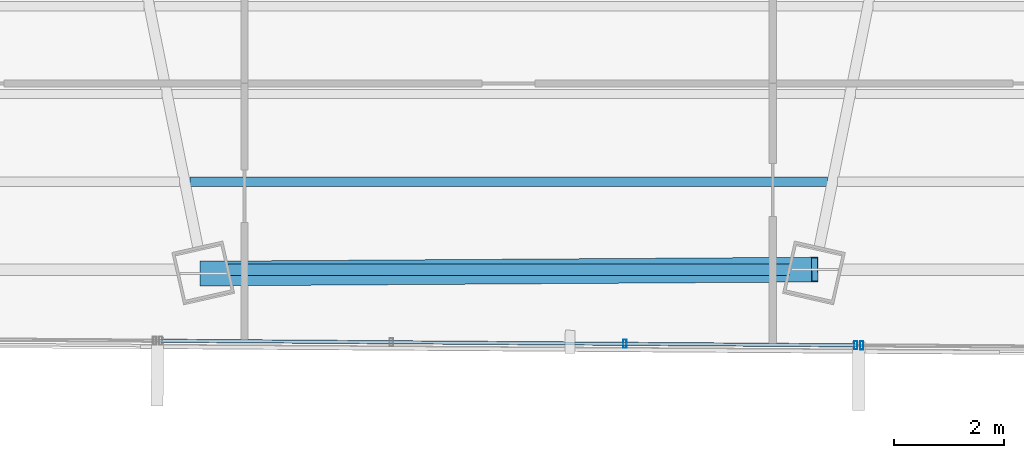
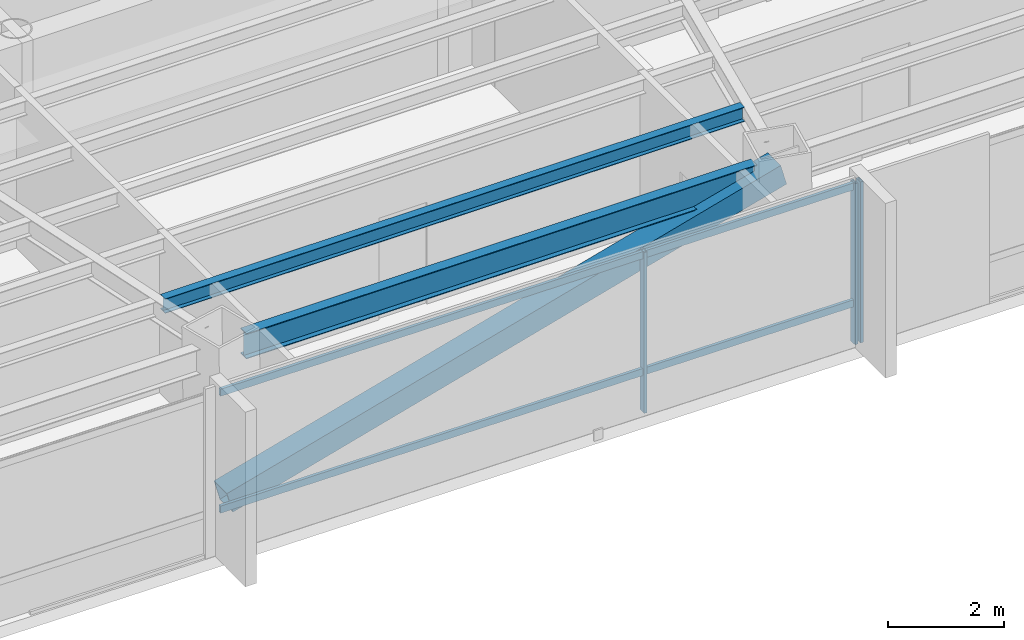
# One storey, part 9 of 40: 6 members, 2 beams, 2 elements without a shape of their own.
"""IFC4 building model written with IfcOpenShell, lengths in metres."""

from ifc_helpers import new_model, si_unit, direction, frame, origin, origin_2d, place, context, subcontext, project, spatial, hollow_rectangle, i_section, extrude, source, transform, mapped, material, material_profile, profile_set, type_object, type_shapes, element, aggregate, save


model = new_model("IFC4")

# Units and contexts
model_context = context("Model", 3, precision=1e-05, world=origin(), true_north=direction((0.0, 1.0)))
body_context = subcontext(model_context, "Body", "Model", "MODEL_VIEW")
ifc_project = project(units=[si_unit("LENGTHUNIT", "METRE"), si_unit("AREAUNIT", "SQUARE_METRE"), si_unit("VOLUMEUNIT", "CUBIC_METRE"), si_unit("PLANEANGLEUNIT", "RADIAN"), si_unit("MASSUNIT", "GRAM", prefix="KILO")], contexts=[model_context])

# Site, building, storey
site_placement = place(None, origin())
site = spatial("IfcSite", under=ifc_project, at=site_placement, CompositionType="ELEMENT")
building_placement = place(site_placement, origin())
building = spatial("IfcBuilding", under=site, at=building_placement, Name="Caelisora Broadcast Tower", CompositionType="ELEMENT")
storey_placement = place(building_placement, frame((0.0, 0.0, 176.75)))
storey = spatial("IfcBuildingStorey", under=building, at=storey_placement, Name="L46", CompositionType="ELEMENT", Elevation=176.75)

# Beams
ifc_material_1 = material(Name="Steel Grade 350 (AS/NZS 3679.1)", Category="steel")
ifc_material_profile_1 = material_profile(ifc_material_1, i_section(OverallWidth=0.208984375, OverallDepth=0.532958984375, WebThickness=0.01025390625, FlangeThickness=0.015625, at=origin_2d()), Name="Steel Grade 350 (AS/NZS 3679.1)")
ifc_profile_set_1 = profile_set([ifc_material_profile_1], Name="Steel Grade 350 (AS/NZS 3679.1)")
beam_type_1 = type_object("IfcBeamType", Name="PG05", PredefinedType="BEAM", material=ifc_profile_set_1)
shared_shape_1 = source(origin(), body_context, "Body", "SweptSolid", [
    extrude(i_section(OverallWidth=0.208984375, OverallDepth=0.532958984375, WebThickness=0.01025390625, FlangeThickness=0.015625, at=origin_2d()), origin(), (0.0, 0.0, 1.0), 10.20703125),
])
type_shapes(beam_type_1, [shared_shape_1])
beam_1_placement = place(storey_placement, frame((32.896484375, 7.82666015625, 3.133544921875), z_axis=(1.0, 0.0, 0.0), x_axis=(0.0, 1.0, 0.0)))
element("IfcBeam", 1, at=beam_1_placement, inside=storey, type_object=beam_type_1, Name="L46 beam PG05", PredefinedType="BEAM", context=body_context, shape_type="MappedRepresentation", body=[
    mapped(shared_shape_1, transform((0.0, 0.0, 0.0), scale=1.0)),
])
ifc_material_profile_2 = material_profile(ifc_material_1, i_section(OverallWidth=0.166015625, OverallDepth=0.30712890625, WebThickness=0.006591796875, FlangeThickness=0.01171875, at=origin_2d()), Name="Steel Grade 350 (AS/NZS 3679.1)")
ifc_profile_set_2 = profile_set([ifc_material_profile_2], Name="Steel Grade 350 (AS/NZS 3679.1)")
beam_type_2 = type_object("IfcBeamType", Name="SB03", PredefinedType="JOIST", material=ifc_profile_set_2)
shared_shape_2 = source(origin(), body_context, "Body", "SweptSolid", [
    extrude(i_section(OverallWidth=0.166015625, OverallDepth=0.30712890625, WebThickness=0.006591796875, FlangeThickness=0.01171875, at=origin_2d()), origin(), (0.0, 0.0, 1.0), 11.58349609375),
])
type_shapes(beam_type_2, [shared_shape_2])
beam_2_placement = place(storey_placement, frame((32.208251953125, 9.422119140625, 3.246337890625), z_axis=(1.0, 0.0, 0.0), x_axis=(0.0, 1.0, 0.0)))
element("IfcBeam", 2, at=beam_2_placement, inside=storey, type_object=beam_type_2, Name="L46 beam SB03", PredefinedType="JOIST", context=body_context, shape_type="MappedRepresentation", body=[
    mapped(shared_shape_2, transform((0.0, 0.0, 0.0), scale=1.0)),
])

# Member
ifc_material_2 = material(Name="Steel Grade 450 (AS/NZS 1163 C450L0)", Category="steel")
ifc_material_profile_3 = material_profile(ifc_material_2, hollow_rectangle(XDim=0.449951171875, YDim=0.449951171875, WallThickness=0.01611328125, at=origin_2d()), Name="Steel Grade 450 (AS/NZS 1163 C450L0)")
ifc_profile_set_3 = profile_set([ifc_material_profile_3], Name="Steel Grade 450 (AS/NZS 1163 C450L0)")
member_type_1 = type_object("IfcMemberType", Name="BR03", PredefinedType="BRACE", material=ifc_profile_set_3)
shared_shape_3 = source(origin(), body_context, "Body", "SweptSolid", [
    extrude(hollow_rectangle(XDim=0.449951171875, YDim=0.449951171875, WallThickness=0.01611328125, at=origin_2d()), origin(), (0.0, 0.0, 1.0), 11.5087890625),
])
type_shapes(member_type_1, [shared_shape_3])
member_1_placement = place(storey_placement, frame((32.452880859375, 7.75439453125, 0.10009765625), z_axis=(0.965407006684, 0.006279207936, 0.260671983523), x_axis=(-0.006504070384, 0.999978848311, 0.0)))
element("IfcMember", 3, at=member_1_placement, inside=storey, type_object=member_type_1, Name="L46 perimeter brace BR03", PredefinedType="BRACE", context=body_context, shape_type="MappedRepresentation", body=[
    mapped(shared_shape_3, transform((0.0, 0.0, 0.0), scale=1.0)),
])

# Curtain wall, member
ifc_material_3 = material(Name="Unitised Aluminium and Low-E Glass Curtain Wall", Category="glass")
curtain_wall_type_1 = type_object("IfcCurtainWallType", Name="CW-Z3", PredefinedType="NOTDEFINED", material=ifc_material_3)
curtain_wall_1_placement = place(storey_placement, origin())
curtain_wall_1 = element("IfcCurtainWall", 4, at=curtain_wall_1_placement, inside=storey, type_object=curtain_wall_type_1, Name="L46 curtain wall CW-Z3", PredefinedType="NOTDEFINED")
ifc_material_4 = material(Name="Aluminium 6063-T6 Anodised Terracotta Bronze", Category="aluminium")
ifc_material_profile_4 = material_profile(ifc_material_4, hollow_rectangle(XDim=0.06005859375, YDim=0.14990234375, WallThickness=0.00341796875, at=origin_2d()), Name="Aluminium 6063-T6 Anodised Terracotta Bronze")
ifc_profile_set_4 = profile_set([ifc_material_profile_4], Name="Aluminium 6063-T6 Anodised Terracotta Bronze")
member_type_2 = type_object("IfcMemberType", Name="CWM-03", PredefinedType="MULLION", material=ifc_profile_set_4)
shared_shape_4 = source(origin(), body_context, "Body", "SweptSolid", [
    extrude(hollow_rectangle(XDim=0.06005859375, YDim=0.14990234375, WallThickness=0.00341796875, at=origin_2d()), origin(), (0.0, 0.0, 1.0), 3.39990234375),
])
type_shapes(member_type_2, [shared_shape_4])
member_2_placement = place(storey_placement, frame((44.41845703125, 6.44921875, 0.0), z_axis=(0.0, 0.0, 1.0), x_axis=(1.0, 0.0, 0.0)))
member_2 = element("IfcMember", 5, at=member_2_placement, type_object=member_type_2, Name="L46-CW-B05 mullion #3", PredefinedType="MULLION", context=body_context, shape_type="MappedRepresentation", body=[
    mapped(shared_shape_4, transform((0.0, 0.0, 0.0), scale=1.0)),
])
aggregate(curtain_wall_1, [member_2])

# Curtain wall, members
ifc_material_5 = material(Name="Unitised Aluminium Insulated Shadow-Box Spandrel Curtain Wall", Category="aluminium")
curtain_wall_type_2 = type_object("IfcCurtainWallType", Name="CW-SP2", PredefinedType="NOTDEFINED", material=ifc_material_5)
curtain_wall_2_placement = place(storey_placement, origin())
curtain_wall_2 = element("IfcCurtainWall", 6, at=curtain_wall_2_placement, inside=storey, type_object=curtain_wall_type_2, Name="L46 curtain wall CW-SP2", PredefinedType="NOTDEFINED")
member_3_placement = place(storey_placement, frame((44.308349609375, 6.449951171875, 0.0), z_axis=(0.0, 0.0, 1.0), x_axis=(1.0, 0.0, 0.0)))
member_3 = element("IfcMember", 7, at=member_3_placement, type_object=member_type_2, Name="L46-CW-B06 mullion #0", PredefinedType="MULLION", context=body_context, shape_type="MappedRepresentation", body=[
    mapped(shared_shape_4, transform((0.0, 0.0, 0.0), scale=1.0)),
])
member_4_placement = place(storey_placement, frame((40.114013671875, 6.477783203125, 0.0), z_axis=(0.0, 0.0, 1.0), x_axis=(1.0, 0.0, 0.0)))
member_4 = element("IfcMember", 8, at=member_4_placement, type_object=member_type_2, Name="L46-CW-B06 mullion #1", PredefinedType="MULLION", context=body_context, shape_type="MappedRepresentation", body=[
    mapped(shared_shape_4, transform((0.0, 0.0, 0.0), scale=1.0)),
])
ifc_material_profile_5 = material_profile(ifc_material_4, hollow_rectangle(XDim=0.06005859375, YDim=0.14990234375, WallThickness=0.00341796875, at=origin_2d()), Name="Aluminium 6063-T6 Anodised Terracotta Bronze")
ifc_profile_set_5 = profile_set([ifc_material_profile_5], Name="Aluminium 6063-T6 Anodised Terracotta Bronze")
member_type_3 = type_object("IfcMemberType", Name="CWT-02", PredefinedType="USERDEFINED", material=ifc_profile_set_5)
shared_shape_5 = source(origin(), body_context, "Body", "SweptSolid", [
    extrude(hollow_rectangle(XDim=0.06005859375, YDim=0.14990234375, WallThickness=0.00341796875, at=origin_2d()), origin(), (0.0, 0.0, 1.0), 12.6337890625),
])
type_shapes(member_type_3, [shared_shape_5])
member_5_placement = place(storey_placement, frame((44.308349609375, 6.449951171875, 0.85009765625), z_axis=(-0.999977904586, 0.006647581486, 0.0), x_axis=(-0.006647581486, -0.999977904586, 0.0)))
member_5 = element("IfcMember", 9, at=member_5_placement, type_object=member_type_3, Name="L46-CW-B06 transom #1", ObjectType="TRANSOM", PredefinedType="USERDEFINED", context=body_context, shape_type="MappedRepresentation", body=[
    mapped(shared_shape_5, transform((0.0, 0.0, 0.0), scale=1.0)),
])
member_6_placement = place(storey_placement, frame((44.308349609375, 6.449951171875, 3.320068359375), z_axis=(-0.999977904586, 0.006647581486, 0.0), x_axis=(-0.006647581486, -0.999977904586, 0.0)))
member_6 = element("IfcMember", 10, at=member_6_placement, type_object=member_type_3, Name="L46-CW-B06 transom #2", ObjectType="TRANSOM", PredefinedType="USERDEFINED", context=body_context, shape_type="MappedRepresentation", body=[
    mapped(shared_shape_5, transform((0.0, 0.0, 0.0), scale=1.0)),
])
aggregate(curtain_wall_2, [member_3, member_4, member_5, member_6])

save(model, "model.ifc")
